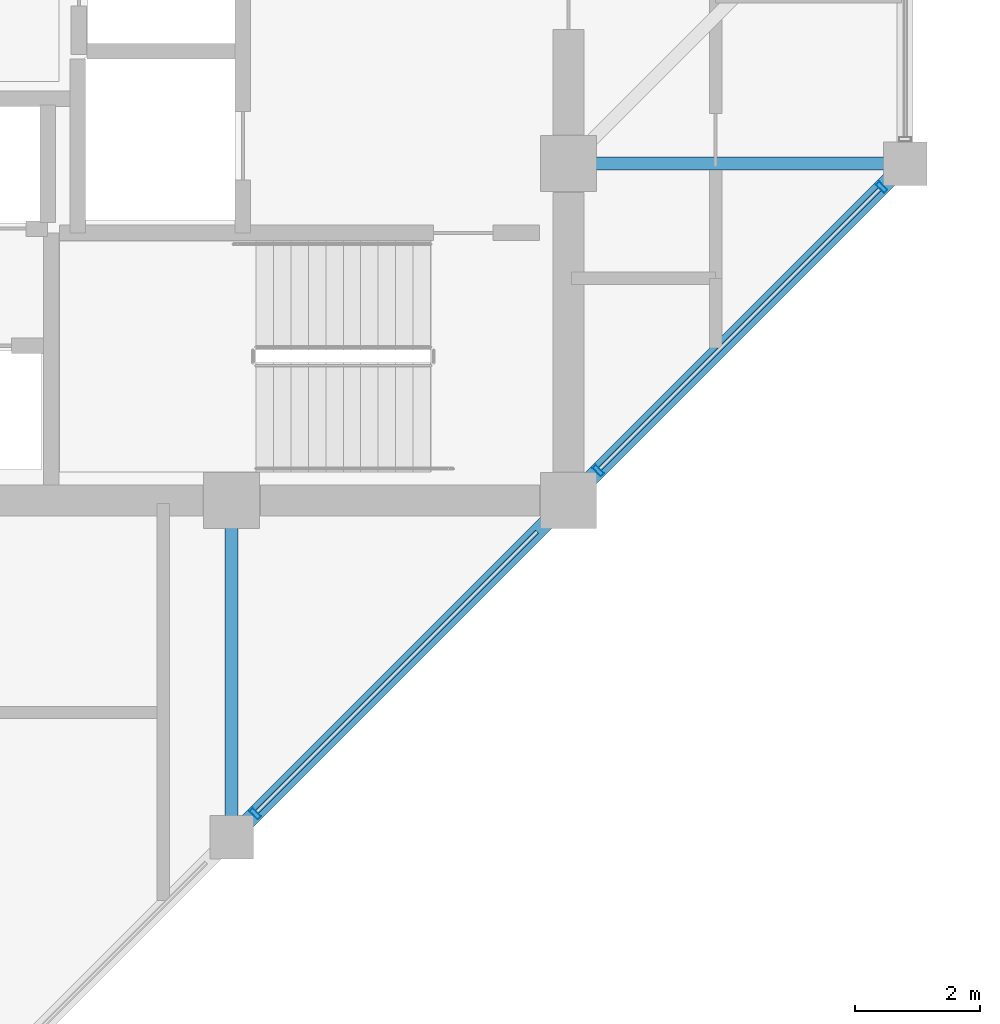
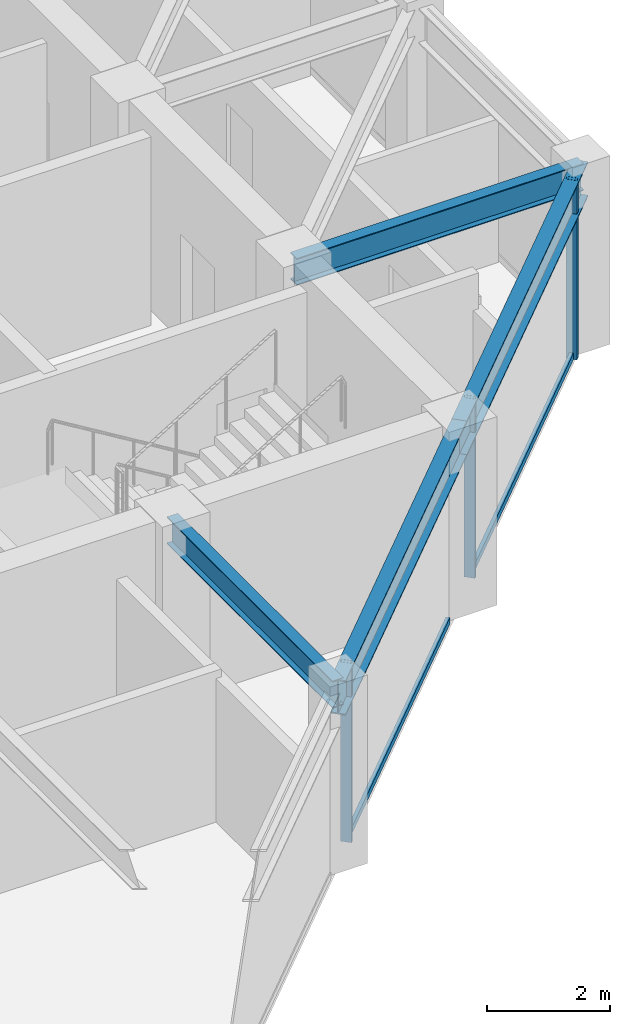
# One storey, part 12 of 30: 5 members, 4 beams, 1 element without a shape of its own.
"""IFC4 building model written with IfcOpenShell, lengths in metres."""

from ifc_helpers import new_model, si_unit, direction, frame, origin, origin_2d, place, context, subcontext, project, spatial, hollow_rectangle, i_section, extrude, material, layer, layer_set, material_profile, profile_set, type_object, element, aggregate, save


model = new_model("IFC4")

# Units and contexts
model_context = context("Model", 3, precision=1e-05, world=origin(), true_north=direction((0.0, 1.0)))
body_context = subcontext(model_context, "Body", "Model", "MODEL_VIEW")
ifc_project = project(units=[si_unit("LENGTHUNIT", "METRE"), si_unit("AREAUNIT", "SQUARE_METRE"), si_unit("VOLUMEUNIT", "CUBIC_METRE"), si_unit("PLANEANGLEUNIT", "RADIAN"), si_unit("MASSUNIT", "GRAM", prefix="KILO")], contexts=[model_context])

# Site, building, storey
site_placement = place(None, origin())
site = spatial("IfcSite", under=ifc_project, at=site_placement, CompositionType="ELEMENT")
building_placement = place(site_placement, origin())
building = spatial("IfcBuilding", under=site, at=building_placement, Name="Surkhivell Harbour Commons", CompositionType="ELEMENT")
storey_placement = place(building_placement, frame((0.0, 0.0, 281.25)))
storey = spatial("IfcBuildingStorey", under=building, at=storey_placement, Name="L73", CompositionType="ELEMENT", Elevation=281.25)

# Beams
ifc_material_1 = material(Name="Steel S355", Category="steel")
ifc_material_profile_1 = material_profile(ifc_material_1, i_section(OverallWidth=0.2099609375, OverallDepth=0.537109375, WebThickness=0.0107421875, FlangeThickness=0.017333984375, at=origin_2d()), Name="UB533x210x101")
ifc_profile_set_1 = profile_set([ifc_material_profile_1], Name="Steel S355")
beam_type_1 = type_object("IfcBeamType", Name="BM-GRD-533B", PredefinedType="BEAM", material=ifc_profile_set_1)
for number, where, z_axis, x_axis, name in (
    (1, (5.39990234375, -16.199951171875, 3.301513671875), (0.0, 1.0, 0.0), (-1.0, 0.0, 0.0), "L73 Floor Girder (5.4,-16.2)"),
    (2, (10.800048828125, -5.39990234375, 3.301513671875), (1.0, 0.0, 0.0), (0.0, 1.0, 0.0), "L73 Floor Girder (10.8,-5.4)"),
):
    element("IfcBeam", number, at=place(storey_placement, frame(where, z_axis=z_axis, x_axis=x_axis)), inside=storey, type_object=beam_type_1, Name=name, PredefinedType="BEAM", context=body_context, shape_type="SweptSolid", body=[
        extrude(i_section(OverallWidth=0.2099609375, OverallDepth=0.537109375, WebThickness=0.0107421875, FlangeThickness=0.017333984375, at=origin_2d()), origin(), (0.0, 0.0, 1.0), 5.39990234375),
    ])
ifc_material_profile_2 = material_profile(ifc_material_1, i_section(OverallWidth=0.256103515625, OverallDepth=0.693115234375, WebThickness=0.014404296875, FlangeThickness=0.023681640625, at=origin_2d()), Name="UB686x254x170")
ifc_profile_set_2 = profile_set([ifc_material_profile_2], Name="Steel S355")
beam_type_2 = type_object("IfcBeamType", Name="BM-SPN-686", PredefinedType="SPANDREL", material=ifc_profile_set_2)
for number, where, z_axis, x_axis, name in (
    (3, (5.39990234375, -16.199951171875, 3.223388671875), (0.707122765516, 0.707090796496, 0.0), (-0.707090796496, 0.707122765516, 0.0), "L73 Tube Spandrel (5.4,-16.2)"),
    (4, (10.800048828125, -10.800048828125, 3.223388671875), (0.707090796496, 0.707122765516, 0.0), (-0.707122765516, 0.707090796496, 0.0), "L73 Tube Spandrel (10.8,-10.8)"),
):
    element("IfcBeam", number, at=place(storey_placement, frame(where, z_axis=z_axis, x_axis=x_axis)), inside=storey, type_object=beam_type_2, Name=name, PredefinedType="SPANDREL", context=body_context, shape_type="SweptSolid", body=[
        extrude(i_section(OverallWidth=0.256103515625, OverallDepth=0.693115234375, WebThickness=0.014404296875, FlangeThickness=0.023681640625, at=origin_2d()), origin(), (0.0, 0.0, 1.0), 7.63671875),
    ])

# Curtain wall, members
ifc_material_2 = material(Name="Anodised pale-metal aluminium and insulated glazing", Category="aluminium")
ifc_layer = layer(ifc_material_2, 0.175048828125)
ifc_layer_set = layer_set([ifc_layer], Name="Anodised pale-metal aluminium and insulated glazing")
curtain_wall_type = type_object("IfcCurtainWallType", Name="CW-SYS-Z4", PredefinedType="NOTDEFINED", material=ifc_layer_set)
curtain_wall_placement = place(storey_placement, origin())
curtain_wall = element("IfcCurtainWall", 5, at=curtain_wall_placement, inside=storey, type_object=curtain_wall_type, Name="L73 Curtain Wall CW-L73-E01", PredefinedType="NOTDEFINED")
ifc_material_3 = material(Name="Anodised pale-metal aluminium alloy 6063-T6", Category="aluminium")
ifc_material_profile_3 = material_profile(ifc_material_3, hollow_rectangle(XDim=0.074951171875, YDim=0.18994140625, WallThickness=0.00390625, at=origin_2d()), Name="ALU-MULL-75x190")
ifc_profile_set_3 = profile_set([ifc_material_profile_3], Name="Anodised pale-metal aluminium alloy 6063-T6")
member_type_1 = type_object("IfcMemberType", Name="CWM-190", PredefinedType="MULLION", material=ifc_profile_set_3)
member_1_placement = place(storey_placement, frame((5.778076171875, -15.82177734375, 0.0), z_axis=(0.0, 0.0, 1.0), x_axis=(0.707106781187, 0.707106781187, 0.0)))
member_1 = element("IfcMember", 6, at=member_1_placement, type_object=member_type_1, Name="CW-Z4 mullion 2", PredefinedType="MULLION", context=body_context, shape_type="SweptSolid", body=[
    extrude(hollow_rectangle(XDim=0.074951171875, YDim=0.18994140625, WallThickness=0.00390625, at=origin_2d()), origin(), (0.0, 0.0, 1.0), 3.570068359375),
])
member_2_placement = place(storey_placement, frame((11.278076171875, -10.32177734375, 0.0), z_axis=(0.0, 0.0, 1.0), x_axis=(0.707106781187, 0.707106781187, 0.0)))
member_2 = element("IfcMember", 7, at=member_2_placement, type_object=member_type_1, Name="CW-Z4 mullion 3", PredefinedType="MULLION", context=body_context, shape_type="SweptSolid", body=[
    extrude(hollow_rectangle(XDim=0.074951171875, YDim=0.18994140625, WallThickness=0.00390625, at=origin_2d()), origin(), (0.0, 0.0, 1.0), 3.570068359375),
])
member_3_placement = place(storey_placement, frame((15.82177734375, -5.778076171875, 0.0), z_axis=(0.0, 0.0, 1.0), x_axis=(0.707106781187, 0.707106781187, 0.0)))
member_3 = element("IfcMember", 8, at=member_3_placement, type_object=member_type_1, Name="CW-Z4 mullion 4", PredefinedType="MULLION", context=body_context, shape_type="SweptSolid", body=[
    extrude(hollow_rectangle(XDim=0.074951171875, YDim=0.18994140625, WallThickness=0.00390625, at=origin_2d()), origin(), (0.0, 0.0, 1.0), 3.570068359375),
])
ifc_material_4 = material(Name="Champagne anodised aluminium alloy 6063-T6", Category="aluminium")
ifc_material_profile_4 = material_profile(ifc_material_4, hollow_rectangle(XDim=0.070068359375, YDim=0.1298828125, WallThickness=0.00341796875, at=origin_2d()), Name="ALU-TRAN-70x130")
ifc_profile_set_4 = profile_set([ifc_material_profile_4], Name="Champagne anodised aluminium alloy 6063-T6")
member_type_2 = type_object("IfcMemberType", Name="CWT-130", PredefinedType="USERDEFINED", material=ifc_profile_set_4)
member_4_placement = place(storey_placement, frame((5.8046875, -15.79541015625, 0.06494140625), z_axis=(0.707106781187, 0.707106781187, 0.0), x_axis=(-0.707106781187, 0.707106781187, 0.0)))
member_4 = element("IfcMember", 9, at=member_4_placement, type_object=member_type_2, Name="CW-Z4 transom 2.1", ObjectType="TRANSOM", PredefinedType="USERDEFINED", context=body_context, shape_type="SweptSolid", body=[
    extrude(hollow_rectangle(XDim=0.070068359375, YDim=0.1298828125, WallThickness=0.00341796875, at=origin_2d()), origin(), (0.0, 0.0, 1.0), 6.350830078125),
])
member_5_placement = place(storey_placement, frame((11.3046875, -10.29541015625, 0.06494140625), z_axis=(0.707106781187, 0.707106781187, 0.0), x_axis=(-0.707106781187, 0.707106781187, 0.0)))
member_5 = element("IfcMember", 10, at=member_5_placement, type_object=member_type_2, Name="CW-Z4 transom 3.1", ObjectType="TRANSOM", PredefinedType="USERDEFINED", context=body_context, shape_type="SweptSolid", body=[
    extrude(hollow_rectangle(XDim=0.070068359375, YDim=0.1298828125, WallThickness=0.00341796875, at=origin_2d()), origin(), (0.0, 0.0, 1.0), 6.350830078125),
])
aggregate(curtain_wall, [member_1, member_4, member_2, member_3, member_5])

save(model, "model.ifc")
